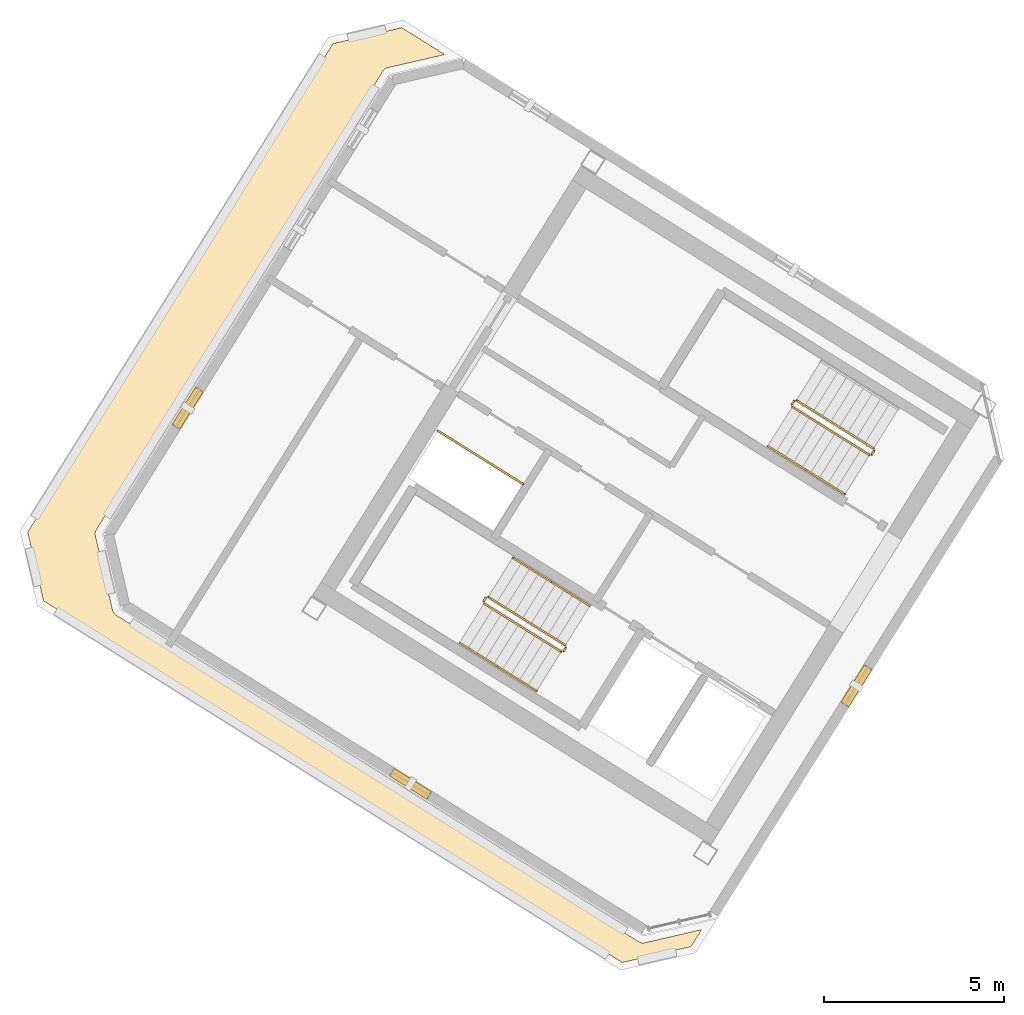
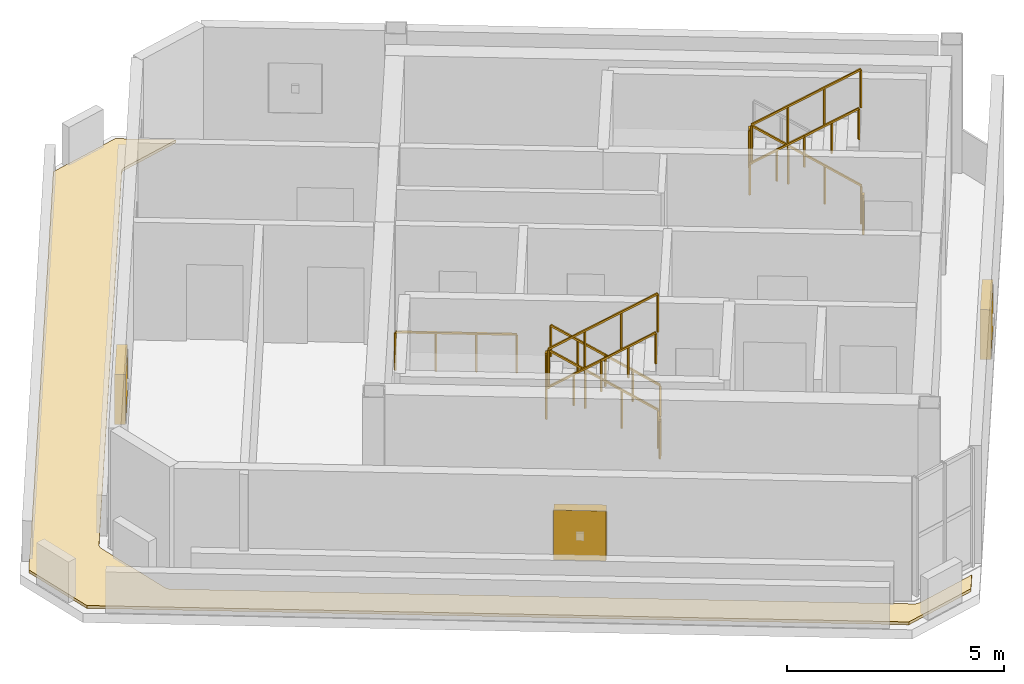
# One storey, part 6 of 7: 15 railings, 3 shading devices, 1 covering.
"""IFC4 building model written with IfcOpenShell, lengths in metres."""

import ifcopenshell
import ifcopenshell.guid

model = None  # the IFC model being written
_history = None  # IfcOwnerHistory: only IFC2X3 demands one
_inside = {}  # id of a spatial element -> (the spatial element, [elements in it])
_under = {}  # id of a project, library or spatial element -> (it, [spatial elements below it])
_declared = {}  # id of a project -> (the project, [libraries it declares])
_typed = {}  # id of a type object -> (the type object, [elements of that type])
_made_of = {}  # id of a material, layer set ... -> (it, [elements and type objects made of it])


def new_model(schema):
    """Start an empty IFC model of exactly this schema.

    Asked for "IFC4X3", IfcOpenShell would pick the latest addendum, in which some entities
    have other attributes; the version numbers below select the first issue.
    IFC2X3 requires an IfcOwnerHistory on every rooted entity: one is made here for all.
    """
    global model, _history
    if schema == "IFC4X3":
        model = ifcopenshell.file(schema_version=(4, 3, 0, 0))
    else:
        model = ifcopenshell.file(schema=schema)
    _inside.clear()
    _under.clear()
    _declared.clear()
    _typed.clear()
    _made_of.clear()
    _history = None
    if model.schema == "IFC2X3":
        org = make("IfcOrganization", Name="unknown")
        user = make(
            "IfcPersonAndOrganization",
            ThePerson=make("IfcPerson", FamilyName="unknown"),
            TheOrganization=org,
        )
        app = make(
            "IfcApplication",
            ApplicationDeveloper=org,
            Version="unknown",
            ApplicationFullName="unknown",
            ApplicationIdentifier="unknown",
        )
        _history = make(
            "IfcOwnerHistory",
            OwningUser=user,
            OwningApplication=app,
            ChangeAction="ADDED",
            CreationDate=0,
        )
    return model


def make(cls, **values):
    """One entity of the class cls with the attributes given. An attribute that is None is left unset."""
    return model.create_entity(
        cls, **{name: value for name, value in values.items() if value is not None}
    )


def rooted(cls, **values):
    """An entity with a GlobalId (a new one), such as an element, a storey or a relation."""
    return make(cls, GlobalId=ifcopenshell.guid.new(), OwnerHistory=_history, **values)


def si_unit(unit_type, name, prefix=None):
    """IfcSIUnit, for example si_unit("LENGTHUNIT", "METRE", prefix="MILLI")."""
    return make("IfcSIUnit", UnitType=unit_type, Prefix=prefix, Name=name)


def assignment(units):
    """IfcUnitAssignment: the units of a project."""
    return None if units is None else make("IfcUnitAssignment", Units=units)


def point(xyz):
    """IfcCartesianPoint."""
    return None if xyz is None else make("IfcCartesianPoint", Coordinates=xyz)


def direction(xyz):
    """IfcDirection."""
    return None if xyz is None else make("IfcDirection", DirectionRatios=xyz)


def frame(location, z_axis=None, x_axis=None):
    """IfcAxis2Placement3D, a coordinate frame: its origin and axes. An axis left out is left unset."""
    return make(
        "IfcAxis2Placement3D",
        Location=point(location),
        Axis=direction(z_axis),
        RefDirection=direction(x_axis),
    )


def frame_2d(location, x_axis=None):
    """IfcAxis2Placement2D, a coordinate frame in the plane: its origin and x axis."""
    return make(
        "IfcAxis2Placement2D", Location=point(location), RefDirection=direction(x_axis)
    )


def origin():
    """The frame at (0, 0, 0) with its axes left unset."""
    return frame((0.0, 0.0, 0.0))


def origin_2d():
    """The frame at (0, 0) in the plane with its x axis left unset."""
    return frame_2d((0.0, 0.0))


def place(relative_to, where):
    """IfcLocalPlacement: puts the frame where relative to a parent placement (None: the world)."""
    return make(
        "IfcLocalPlacement", PlacementRelTo=relative_to, RelativePlacement=where
    )


def context(
    kind, dimensions, precision=None, world=None, true_north=None, identifier=None
):
    """IfcGeometricRepresentationContext, for example the 3D "Model" context."""
    return make(
        "IfcGeometricRepresentationContext",
        ContextIdentifier=identifier,
        ContextType=kind,
        CoordinateSpaceDimension=dimensions,
        Precision=precision,
        WorldCoordinateSystem=world,
        TrueNorth=true_north,
    )


def subcontext(parent, identifier, kind, view, scale=None):
    """IfcGeometricRepresentationSubContext, for example "Body" below "Model"."""
    return make(
        "IfcGeometricRepresentationSubContext",
        ContextIdentifier=identifier,
        ContextType=kind,
        ParentContext=parent,
        TargetScale=scale,
        TargetView=view,
    )


def project(units=None, contexts=None):
    """IfcProject with its units and contexts."""
    return rooted(
        "IfcProject",
        Name="project",
        RepresentationContexts=contexts,
        UnitsInContext=assignment(units),
    )


def spatial(cls, under=None, at=None, **own):
    """A site, building, storey or space (cls), placed at a placement, below another one or the project."""
    s = rooted(cls, ObjectPlacement=at, **own)
    if under is not None:
        _under.setdefault(under.id(), (under, []))[1].append(s)
    return s


def polyline(points):
    """IfcPolyline through the points."""
    return make("IfcPolyline", Points=[point(p) for p in points])


def profile(cls, at=None, kind="AREA", **sizes):
    """A parametric profile (cls). Its sizes go by their IFC names, for example OverallWidth=200.0."""
    return make(cls, ProfileType=kind, Position=at, **sizes)


def rectangle(**sizes):
    """IfcRectangleProfileDef."""
    return profile("IfcRectangleProfileDef", **sizes)


def outline(outer, holes=None, kind="AREA"):
    """IfcArbitraryClosedProfileDef: a profile drawn as a closed curve; with holes, ...WithVoids."""
    if holes is None:
        return make("IfcArbitraryClosedProfileDef", ProfileType=kind, OuterCurve=outer)
    return make(
        "IfcArbitraryProfileDefWithVoids",
        ProfileType=kind,
        OuterCurve=outer,
        InnerCurves=holes,
    )


def extrude(swept, where, along, depth):
    """IfcExtrudedAreaSolid: the profile swept, set in the frame where, extruded along a direction by depth."""
    return make(
        "IfcExtrudedAreaSolid",
        SweptArea=swept,
        Position=where,
        ExtrudedDirection=direction(along),
        Depth=depth,
    )


def shape(context_of_items, identifier, shape_type, items):
    """IfcShapeRepresentation: the items that make up one representation, for example the "Body"."""
    return make(
        "IfcShapeRepresentation",
        ContextOfItems=context_of_items,
        RepresentationIdentifier=identifier,
        RepresentationType=shape_type,
        Items=items,
    )


def source(mapping_origin, context_of_items, identifier, shape_type, items):
    """IfcRepresentationMap: a shape defined once, which mapped items show again and again."""
    return make(
        "IfcRepresentationMap",
        MappingOrigin=mapping_origin,
        MappedRepresentation=shape(context_of_items, identifier, shape_type, items),
    )


def transform(
    local_origin,
    x_axis=None,
    y_axis=None,
    z_axis=None,
    scale=None,
    scale2=None,
    scale3=None,
    uniform=True,
):
    """IfcCartesianTransformationOperator3D, or its non-uniform kind. x_axis, y_axis, z_axis: its Axis1, 2, 3."""
    if uniform:
        return make(
            "IfcCartesianTransformationOperator3D",
            Axis1=direction(x_axis),
            Axis2=direction(y_axis),
            LocalOrigin=point(local_origin),
            Scale=scale,
            Axis3=direction(z_axis),
        )
    return make(
        "IfcCartesianTransformationOperator3DnonUniform",
        Axis1=direction(x_axis),
        Axis2=direction(y_axis),
        LocalOrigin=point(local_origin),
        Scale=scale,
        Axis3=direction(z_axis),
        Scale2=scale2,
        Scale3=scale3,
    )


def mapped(mapping_source, mapping_target):
    """IfcMappedItem: shows the shape of a source again, moved by a transform."""
    return make(
        "IfcMappedItem", MappingSource=mapping_source, MappingTarget=mapping_target
    )


def material(Name=None, Category=None):
    """IfcMaterial."""
    return make("IfcMaterial", Name=Name, Category=Category)


def layer(
    of_material, thickness, ventilated=None, Name=None, Category=None, Priority=None
):
    """IfcMaterialLayer: one layer of a wall or slab, of a material (None: an air gap)."""
    return make(
        "IfcMaterialLayer",
        Material=of_material,
        LayerThickness=thickness,
        IsVentilated=ventilated,
        Name=Name,
        Category=Category,
        Priority=Priority,
    )


def layer_set(layers, Name=None):
    """IfcMaterialLayerSet."""
    return make("IfcMaterialLayerSet", MaterialLayers=layers, LayerSetName=Name)


def made_of(thing, what):
    """Note that an element or type object is made of a material, layer set ...; save() writes the relation."""
    if what is not None:
        _made_of.setdefault(what.id(), (what, []))[1].append(thing)
    return thing


def type_object(cls, material=None, **own):
    """A type object (cls), such as IfcWallType, which elements share."""
    return made_of(rooted(cls, **own), material)


def element(
    cls,
    number,
    at=None,
    inside=None,
    cuts=None,
    type_object=None,
    material=None,
    context=None,
    identifier="Body",
    shape_type=None,
    held_by="IfcProductDefinitionShape",
    body=None,
    shapes=None,
    **own,
):
    """One element of the class cls, such as IfcWall. Its Tag is "e" and its number.

    at: its placement. inside: the storey or other place that contains it. cuts: it is an
    opening in that element (IfcRelVoidsElement). A single representation is given by context,
    identifier, shape_type and body (its items); several are given by shapes. held_by: the class
    of the entity that holds the representations. save() writes the other relations.
    """
    e = rooted(cls, Tag="e%d" % number, ObjectPlacement=at, **own)
    if body is not None:
        shapes = [shape(context, identifier, shape_type, body)]
    if shapes is not None:
        e.Representation = make(held_by, Representations=shapes)
    if inside is not None:
        _inside.setdefault(inside.id(), (inside, []))[1].append(e)
    if cuts is not None:
        rooted(
            "IfcRelVoidsElement", RelatingBuildingElement=cuts, RelatedOpeningElement=e
        )
    if type_object is not None:
        _typed.setdefault(type_object.id(), (type_object, []))[1].append(e)
    return made_of(e, material)


def aggregate(whole, parts):
    """IfcRelAggregates: a whole, such as a stair, and the parts it consists of."""
    return rooted("IfcRelAggregates", RelatingObject=whole, RelatedObjects=parts)


def save(model, path):
    """Write the relations noted so far, then the file.

    IfcRelAggregates (storeys below a building ...), IfcRelContainedInSpatialStructure (elements
    in a storey), IfcRelDefinesByType, IfcRelAssociatesMaterial and IfcRelDeclares: one each for
    every whole, place, type object, material and project.
    """
    for whole, parts in _under.values():
        aggregate(whole, parts)
    for where, things in _inside.values():
        rooted(
            "IfcRelContainedInSpatialStructure",
            RelatedElements=things,
            RelatingStructure=where,
        )
    for kind, things in _typed.values():
        rooted("IfcRelDefinesByType", RelatedObjects=things, RelatingType=kind)
    for what, things in _made_of.values():
        rooted("IfcRelAssociatesMaterial", RelatedObjects=things, RelatingMaterial=what)
    for by, libraries in _declared.values():
        rooted("IfcRelDeclares", RelatingContext=by, RelatedDefinitions=libraries)
    model.write(path)


model = new_model("IFC4")

# Units and contexts
model_context = context("Model", 3, precision=1e-05, world=origin(), true_north=direction((0.0, 1.0)))
body_context = subcontext(model_context, "Body", "Model", "MODEL_VIEW")
ifc_project = project(units=[si_unit("LENGTHUNIT", "METRE"), si_unit("AREAUNIT", "SQUARE_METRE"), si_unit("VOLUMEUNIT", "CUBIC_METRE"), si_unit("PLANEANGLEUNIT", "RADIAN"), si_unit("MASSUNIT", "GRAM", prefix="KILO")], contexts=[model_context])

# Site, building, storey
site_placement = place(None, origin())
site = spatial("IfcSite", under=ifc_project, at=site_placement, CompositionType="ELEMENT")
building_placement = place(site_placement, origin())
building = spatial("IfcBuilding", under=site, at=building_placement, Name="Tlacorven Tower", CompositionType="ELEMENT")
storey_placement = place(building_placement, frame((0.0, 0.0, 309.60009765625)))
storey = spatial("IfcBuildingStorey", under=building, at=storey_placement, Name="L79", CompositionType="ELEMENT", Elevation=309.60009765625)

# Covering
ifc_material_1 = material(Name="EPDM waterproofing membrane and rigid insulation")
ifc_layer = layer(ifc_material_1, 0.080078125)
ifc_layer_set = layer_set([ifc_layer], Name="EPDM waterproofing membrane and rigid insulation")
covering_type = type_object("IfcCoveringType", Name="CV-ROF-MEMB", PredefinedType="ROOFING", material=ifc_layer_set)
covering_placement = place(storey_placement, origin())
element("IfcCovering", 1, at=covering_placement, inside=storey, type_object=covering_type, Name="L79 Stepped Crown Waterproofing Membrane 1.1", PredefinedType="ROOFING", context=body_context, shape_type="SweptSolid", body=[
    extrude(outline(polyline([(32.647216796875, 9.48583984375), (30.74169921875, 9.0458984375), (14.6845703125, 19.07958984375), (14.24462890625, 20.985107421875), (22.71484375, 34.54052734375), (24.620361328125, 34.98046875), (25.812744140625, 34.2353515625), (24.23583984375, 33.871337890625), (24.226318359375, 33.868896484375), (24.224365234375, 33.868408203125), (24.205810546875, 33.862060546875), (24.2041015625, 33.861328125), (24.18603515625, 33.853271484375), (24.184326171875, 33.8525390625), (24.16748046875, 33.8427734375), (24.165771484375, 33.841552734375), (24.149658203125, 33.830322265625), (24.148193359375, 33.8291015625), (24.13330078125, 33.816162109375), (24.132080078125, 33.814697265625), (24.11865234375, 33.800537109375), (24.1171875, 33.799072265625), (24.105224609375, 33.783447265625), (24.104248046875, 33.78173828125), (24.098876953125, 33.773681640625), (16.14990234375, 21.052978515625), (16.14501953125, 21.04443359375), (16.14404296875, 21.042724609375), (16.13525390625, 21.025146484375), (16.134521484375, 21.0234375), (16.127685546875, 21.0048828125), (16.126953125, 21.003173828125), (16.121826171875, 20.984130859375), (16.121337890625, 20.982177734375), (16.1181640625, 20.962890625), (16.117919921875, 20.9609375), (16.11669921875, 20.94140625), (16.11669921875, 20.939453125), (16.1171875, 20.919677734375), (16.117431640625, 20.917724609375), (16.119873046875, 20.8984375), (16.1201171875, 20.896484375), (16.122314453125, 20.88671875), (16.599365234375, 18.81982421875), (16.601806640625, 18.810302734375), (16.602294921875, 18.808349609375), (16.608642578125, 18.789794921875), (16.609375, 18.7880859375), (16.617431640625, 18.77001953125), (16.618408203125, 18.768310546875), (16.628173828125, 18.75146484375), (16.629150390625, 18.749755859375), (16.640625, 18.733642578125), (16.641845703125, 18.732177734375), (16.65478515625, 18.717529296875), (16.656005859375, 18.716064453125), (16.67041015625, 18.70263671875), (16.671875, 18.701171875), (16.687255859375, 18.689208984375), (16.68896484375, 18.688232421875), (16.697265625, 18.682861328125), (31.19873046875, 9.62109375), (31.207275390625, 9.6162109375), (31.208984375, 9.615234375), (31.2265625, 9.6064453125), (31.228271484375, 9.605712890625), (31.24658203125, 9.5986328125), (31.24853515625, 9.59814453125), (31.267578125, 9.593017578125), (31.26953125, 9.592529296875), (31.288818359375, 9.58935546875), (31.290771484375, 9.589111328125), (31.310302734375, 9.587890625), (31.312255859375, 9.587890625), (31.331787109375, 9.58837890625), (31.333740234375, 9.588623046875), (31.353271484375, 9.591064453125), (31.355224609375, 9.59130859375), (31.36474609375, 9.59326171875), (32.94189453125, 9.95751953125), (32.647216796875, 9.48583984375)])), origin(), (0.0, 0.0, 1.0), 0.079833984375),
])

# Railing
ifc_material_2 = material(Name="Aluminium and painted steel balustrade", Category="steel")
railing_type_1 = type_object("IfcRailingType", Name="RL-GRD-1100", PredefinedType="GUARDRAIL", material=ifc_material_2)
shared_shape_1 = source(origin(), body_context, "Body", "SweptSolid", [
    extrude(rectangle(XDim=0.048095703125, YDim=0.048095703125, at=origin_2d()), frame((0.0, 0.0, 1.076171875), z_axis=(-0.848091358275, 0.529850024081, 0.0), x_axis=(-0.529850024081, -0.848091358275, 0.0)), (0.0, 0.0, 1.0), 2.800048828125),
    extrude(rectangle(XDim=0.0419921875, YDim=0.0419921875, at=origin_2d()), origin(), (0.0, 0.0, 1.0), 1.052001953125),
    extrude(rectangle(XDim=0.0419921875, YDim=0.0419921875, at=origin_2d()), frame((-0.79150390625, 0.49462890625, 0.0)), (0.0, 0.0, 1.0), 1.052001953125),
    extrude(rectangle(XDim=0.0419921875, YDim=0.0419921875, at=origin_2d()), frame((-1.583251953125, 0.989013671875, 0.0)), (0.0, 0.0, 1.0), 1.052001953125),
    extrude(rectangle(XDim=0.0419921875, YDim=0.0419921875, at=origin_2d()), frame((-2.374755859375, 1.483642578125, 0.0)), (0.0, 0.0, 1.0), 1.052001953125),
])
railing_1_placement = place(storey_placement, frame((27.9912109375, 22.32080078125, 0.0)))
element("IfcRailing", 2, at=railing_1_placement, inside=storey, type_object=railing_type_1, Name="L79 Electrical Riser W Shaft Guard 1", PredefinedType="GUARDRAIL", context=body_context, shape_type="MappedRepresentation", body=[
    mapped(shared_shape_1, transform((0.0, 0.0, 0.0), scale=1.0)),
])

# Shading devices
ifc_material_3 = material(Name="Anodised bronze aluminium acoustic louvre", Category="aluminium")
shading_device_type = type_object("IfcShadingDeviceType", Name="SH-LVR-WND", PredefinedType="JALOUSIE", material=ifc_material_3)
shared_shape_2 = source(origin(), body_context, "Body", "SweptSolid", [
    extrude(rectangle(XDim=1.2099609375, YDim=0.25, at=origin_2d()), origin(), (0.0, 0.0, 1.0), 1.39990234375),
])
for number, where, z_axis, x_axis, name in (
    (3, (37.238037109375, 16.719482421875, 0.949951171875), (0.0, 0.0, 1.0), (-0.529919057549, -0.848048225307, 0.0), "L79 Storm-Resistant Acoustic Louvre Bank 1.1"),
    (4, (24.86669921875, 14.00244140625, 0.949951171875), (0.0, 0.0, 1.0), (-0.848048040728, 0.529919352937, 0.0), "L79 Storm-Resistant Acoustic Louvre Bank 2.1"),
    (5, (18.68310546875, 24.42724609375, 0.949951171875), (0.0, 0.0, 1.0), (0.529919357141, 0.848048038101, 0.0), "L79 Storm-Resistant Acoustic Louvre Bank 4.1"),
):
    element("IfcShadingDevice", number, at=place(storey_placement, frame(where, z_axis=z_axis, x_axis=x_axis)), inside=storey, type_object=shading_device_type, Name=name, PredefinedType="JALOUSIE", context=body_context, shape_type="MappedRepresentation", body=[
        mapped(shared_shape_2, transform((0.0, 0.0, 0.0), scale=1.0)),
    ])

# Railings
shared_shape_3 = source(origin(), body_context, "Body", "SweptSolid", [
    extrude(rectangle(XDim=0.048095703125, YDim=0.048095703125, at=origin_2d()), frame((0.0, 0.0, 1.076171875), z_axis=(-0.529084052582, -0.848569422795, 0.0), x_axis=(0.848569422795, -0.529084052582, 0.0)), (0.0, 0.0, 1.0), 0.119873046875),
    extrude(rectangle(XDim=0.0419921875, YDim=0.0419921875, at=origin_2d()), origin(), (0.0, 0.0, 1.0), 1.052001953125),
    extrude(rectangle(XDim=0.0419921875, YDim=0.0419921875, at=origin_2d()), frame((-0.0634765625, -0.101806640625, 0.0)), (0.0, 0.0, 1.0), 1.052001953125),
])
railing_2_placement = place(storey_placement, frame((29.176513671875, 17.782958984375, 0.0)))
element("IfcRailing", 6, at=railing_2_placement, inside=storey, type_object=railing_type_1, Name="L79 ST-W1 stair guard 4", PredefinedType="GUARDRAIL", context=body_context, shape_type="MappedRepresentation", body=[
    mapped(shared_shape_3, transform((0.0, 0.0, 0.0), scale=1.0)),
])
shared_shape_4 = source(origin(), body_context, "Body", "SweptSolid", [
    extrude(rectangle(XDim=0.048095703125, YDim=0.048095703125, at=origin_2d()), frame((0.0, 0.0, 1.076171875), z_axis=(-0.530546985787, -0.847655529016, 0.0), x_axis=(0.847655529016, -0.530546985787, 0.0)), (0.0, 0.0, 1.0), 0.1201171875),
    extrude(rectangle(XDim=0.0419921875, YDim=0.0419921875, at=origin_2d()), origin(), (0.0, 0.0, 1.0), 1.052001953125),
    extrude(rectangle(XDim=0.0419921875, YDim=0.0419921875, at=origin_2d()), frame((-0.063720703125, -0.101806640625, 0.0)), (0.0, 0.0, 1.0), 1.052001953125),
])
for number, where, name in (
    (7, (26.954833984375, 19.17138671875, 1.7998046875), "L79 ST-W1 stair guard 2"),
    (8, (37.728271484375, 23.24072265625, 0.0), "L79 ST-W2 stair guard 4"),
):
    element("IfcRailing", number, at=place(storey_placement, frame(where)), inside=storey, type_object=railing_type_1, Name=name, PredefinedType="GUARDRAIL", context=body_context, shape_type="MappedRepresentation", body=[
        mapped(shared_shape_4, transform((0.0, 0.0, 0.0), scale=1.0)),
    ])
railing_type_2 = type_object("IfcRailingType", Name="RL-HND-0900", PredefinedType="HANDRAIL", material=ifc_material_2)
shared_shape_5 = source(origin(), body_context, "Body", "SweptSolid", [
    extrude(rectangle(XDim=0.048095703125, YDim=0.048095703125, at=origin_2d()), frame((0.0, 0.0, 0.8759765625), z_axis=(-0.713359751793, 0.4457479829, 0.540764828981), x_axis=(-0.529911857636, -0.848052724267, 0.0)), (0.0, 0.0, 1.0), 1.498046875),
    extrude(rectangle(XDim=0.0419921875, YDim=0.0419921875, at=origin_2d()), origin(), (0.0, 0.0, 1.0), 0.851806640625),
    extrude(rectangle(XDim=0.0419921875, YDim=0.0419921875, at=origin_2d()), frame((-0.5341796875, 0.333984375, 0.405029296875)), (0.0, 0.0, 1.0), 0.851806640625),
    extrude(rectangle(XDim=0.0419921875, YDim=0.0419921875, at=origin_2d()), frame((-1.068603515625, 0.667724609375, 0.81005859375)), (0.0, 0.0, 1.0), 0.851806640625),
])
railing_3_placement = place(storey_placement, frame((29.839111328125, 18.937255859375, 0.179931640625)))
element("IfcRailing", 9, at=railing_3_placement, inside=storey, type_object=railing_type_2, Name="L79 ST-W1 stair handrail 1", PredefinedType="HANDRAIL", context=body_context, shape_type="MappedRepresentation", body=[
    mapped(shared_shape_5, transform((0.0, 0.0, 0.0), scale=1.0)),
])
shared_shape_6 = source(origin(), body_context, "Body", "SweptSolid", [
    extrude(rectangle(XDim=0.048095703125, YDim=0.048095703125, at=origin_2d()), frame((0.0, 0.0, 0.8759765625), z_axis=(0.713359751793, -0.4457479829, 0.540764828981), x_axis=(0.529911857636, 0.848052724267, 0.0)), (0.0, 0.0, 1.0), 1.498046875),
    extrude(rectangle(XDim=0.0419921875, YDim=0.0419921875, at=origin_2d()), origin(), (0.0, 0.0, 1.0), 0.851806640625),
    extrude(rectangle(XDim=0.0419921875, YDim=0.0419921875, at=origin_2d()), frame((0.5341796875, -0.333984375, 0.405029296875)), (0.0, 0.0, 1.0), 0.851806640625),
    extrude(rectangle(XDim=0.0419921875, YDim=0.0419921875, at=origin_2d()), frame((1.068603515625, -0.667724609375, 0.81005859375)), (0.0, 0.0, 1.0), 0.851806640625),
])
railing_4_placement = place(storey_placement, frame((35.848876953125, 22.705078125, 2.789794921875)))
element("IfcRailing", 10, at=railing_4_placement, inside=storey, type_object=railing_type_2, Name="L79 ST-W2 stair handrail 4", PredefinedType="HANDRAIL", context=body_context, shape_type="MappedRepresentation", body=[
    mapped(shared_shape_6, transform((0.0, 0.0, 0.0), scale=1.0)),
])
shared_shape_7 = source(origin(), body_context, "Body", "SweptSolid", [
    extrude(rectangle(XDim=0.048095703125, YDim=0.048095703125, at=origin_2d()), frame((0.0, 0.0, 0.8759765625), z_axis=(0.713279695859, -0.445799809912, 0.540827703579), x_axis=(0.529998940003, 0.847998304005, 0.0)), (0.0, 0.0, 1.0), 1.497802734375),
    extrude(rectangle(XDim=0.0419921875, YDim=0.0419921875, at=origin_2d()), origin(), (0.0, 0.0, 1.0), 0.851806640625),
    extrude(rectangle(XDim=0.0419921875, YDim=0.0419921875, at=origin_2d()), frame((0.5341796875, -0.333984375, 0.405029296875)), (0.0, 0.0, 1.0), 0.851806640625),
    extrude(rectangle(XDim=0.0419921875, YDim=0.0419921875, at=origin_2d()), frame((1.068359375, -0.667724609375, 0.81005859375)), (0.0, 0.0, 1.0), 0.851806640625),
])
railing_5_placement = place(storey_placement, frame((27.29736328125, 17.24755859375, 2.789794921875)))
element("IfcRailing", 11, at=railing_5_placement, inside=storey, type_object=railing_type_2, Name="L79 ST-W1 stair handrail 4", PredefinedType="HANDRAIL", context=body_context, shape_type="MappedRepresentation", body=[
    mapped(shared_shape_7, transform((0.0, 0.0, 0.0), scale=1.0)),
])
shared_shape_8 = source(origin(), body_context, "Body", "SweptSolid", [
    extrude(rectangle(XDim=0.048095703125, YDim=0.048095703125, at=origin_2d()), frame((0.0, 0.0, 1.076171875), z_axis=(-0.713351164325, 0.445793541512, 0.540738601085), x_axis=(-0.529955395941, -0.84802551749, 0.0)), (0.0, 0.0, 1.0), 2.99560546875),
    extrude(rectangle(XDim=0.0419921875, YDim=0.0419921875, at=origin_2d()), origin(), (0.0, 0.0, 1.0), 1.052001953125),
    extrude(rectangle(XDim=0.0419921875, YDim=0.0419921875, at=origin_2d()), frame((-0.71240234375, 0.445068359375, 0.5400390625)), (0.0, 0.0, 1.0), 1.052001953125),
    extrude(rectangle(XDim=0.0419921875, YDim=0.0419921875, at=origin_2d()), frame((-1.424560546875, 0.890380859375, 1.079833984375)), (0.0, 0.0, 1.0), 1.052001953125),
    extrude(rectangle(XDim=0.0419921875, YDim=0.0419921875, at=origin_2d()), frame((-2.136962890625, 1.33544921875, 1.619873046875)), (0.0, 0.0, 1.0), 1.052001953125),
])
for number, where, name in (
    (12, (29.16064453125, 17.851806640625, 0.179931640625), "L79 ST-W1 stair guard 1"),
    (13, (37.712158203125, 23.3095703125, 0.179931640625), "L79 ST-W2 stair guard 1"),
):
    element("IfcRailing", number, at=place(storey_placement, frame(where)), inside=storey, type_object=railing_type_1, Name=name, PredefinedType="GUARDRAIL", context=body_context, shape_type="MappedRepresentation", body=[
        mapped(shared_shape_8, transform((0.0, 0.0, 0.0), scale=1.0)),
    ])
shared_shape_9 = source(origin(), body_context, "Body", "SweptSolid", [
    extrude(rectangle(XDim=0.048095703125, YDim=0.048095703125, at=origin_2d()), frame((0.0, 0.0, 1.076171875), z_axis=(0.71339118691, -0.44576762536, 0.540707165313), x_axis=(0.529911857636, 0.848052724267, 0.0)), (0.0, 0.0, 1.0), 2.995849609375),
    extrude(rectangle(XDim=0.0419921875, YDim=0.0419921875, at=origin_2d()), origin(), (0.0, 0.0, 1.0), 1.052001953125),
    extrude(rectangle(XDim=0.0419921875, YDim=0.0419921875, at=origin_2d()), frame((0.71240234375, -0.445068359375, 0.5400390625)), (0.0, 0.0, 1.0), 1.052001953125),
    extrude(rectangle(XDim=0.0419921875, YDim=0.0419921875, at=origin_2d()), frame((1.4248046875, -0.890380859375, 1.079833984375)), (0.0, 0.0, 1.0), 1.052001953125),
    extrude(rectangle(XDim=0.0419921875, YDim=0.0419921875, at=origin_2d()), frame((2.13720703125, -1.33544921875, 1.619873046875)), (0.0, 0.0, 1.0), 1.052001953125),
])
railing_6_placement = place(storey_placement, frame((26.906982421875, 19.000732421875, 1.97998046875)))
element("IfcRailing", 14, at=railing_6_placement, inside=storey, type_object=railing_type_1, Name="L79 ST-W1 stair guard 3", PredefinedType="GUARDRAIL", context=body_context, shape_type="MappedRepresentation", body=[
    mapped(shared_shape_9, transform((0.0, 0.0, 0.0), scale=1.0)),
])
shared_shape_10 = source(origin(), body_context, "Body", "SweptSolid", [
    extrude(rectangle(XDim=0.048095703125, YDim=0.048095703125, at=origin_2d()), frame((0.0, 0.0, 0.8759765625), z_axis=(-0.713422621445, 0.445787267455, 0.540649494022), x_axis=(-0.529911857636, -0.848052724267, 0.0)), (0.0, 0.0, 1.0), 1.497802734375),
    extrude(rectangle(XDim=0.0419921875, YDim=0.0419921875, at=origin_2d()), origin(), (0.0, 0.0, 1.0), 0.851806640625),
    extrude(rectangle(XDim=0.0419921875, YDim=0.0419921875, at=origin_2d()), frame((-0.5341796875, 0.333984375, 0.40478515625)), (0.0, 0.0, 1.0), 0.851806640625),
    extrude(rectangle(XDim=0.0419921875, YDim=0.0419921875, at=origin_2d()), frame((-1.068603515625, 0.667724609375, 0.809814453125)), (0.0, 0.0, 1.0), 0.851806640625),
])
railing_7_placement = place(storey_placement, frame((28.7705078125, 19.60498046875, 0.989990234375)))
element("IfcRailing", 15, at=railing_7_placement, inside=storey, type_object=railing_type_2, Name="L79 ST-W1 stair handrail 2", PredefinedType="HANDRAIL", context=body_context, shape_type="MappedRepresentation", body=[
    mapped(shared_shape_10, transform((0.0, 0.0, 0.0), scale=1.0)),
])
shared_shape_11 = source(origin(), body_context, "Body", "SweptSolid", [
    extrude(rectangle(XDim=0.048095703125, YDim=0.048095703125, at=origin_2d()), frame((0.0, 0.0, 0.8759765625), z_axis=(0.713422621445, -0.445787267455, 0.540649494022), x_axis=(0.529911857636, 0.848052724267, 0.0)), (0.0, 0.0, 1.0), 1.497802734375),
    extrude(rectangle(XDim=0.0419921875, YDim=0.0419921875, at=origin_2d()), origin(), (0.0, 0.0, 1.0), 0.851806640625),
    extrude(rectangle(XDim=0.0419921875, YDim=0.0419921875, at=origin_2d()), frame((0.5341796875, -0.333984375, 0.40478515625)), (0.0, 0.0, 1.0), 0.851806640625),
    extrude(rectangle(XDim=0.0419921875, YDim=0.0419921875, at=origin_2d()), frame((1.068603515625, -0.667724609375, 0.809814453125)), (0.0, 0.0, 1.0), 0.851806640625),
])
for number, where, name in (
    (16, (26.228759765625, 17.915283203125, 1.97998046875), "L79 ST-W1 stair handrail 3"),
    (17, (34.7802734375, 23.372802734375, 1.97998046875), "L79 ST-W2 stair handrail 3"),
):
    element("IfcRailing", number, at=place(storey_placement, frame(where)), inside=storey, type_object=railing_type_2, Name=name, PredefinedType="HANDRAIL", context=body_context, shape_type="MappedRepresentation", body=[
        mapped(shared_shape_11, transform((0.0, 0.0, 0.0), scale=1.0)),
    ])
shared_shape_12 = source(origin(), body_context, "Body", "SweptSolid", [
    extrude(rectangle(XDim=0.048095703125, YDim=0.048095703125, at=origin_2d()), frame((0.0, 0.0, 1.076171875), z_axis=(-0.531462422766, -0.847081869236, 0.0), x_axis=(0.847081869236, -0.531462422766, 0.0)), (0.0, 0.0, 1.0), 0.119873046875),
    extrude(rectangle(XDim=0.0419921875, YDim=0.0419921875, at=origin_2d()), origin(), (0.0, 0.0, 1.0), 1.052001953125),
    extrude(rectangle(XDim=0.0419921875, YDim=0.0419921875, at=origin_2d()), frame((-0.063720703125, -0.1015625, 0.0)), (0.0, 0.0, 1.0), 1.052001953125),
])
railing_8_placement = place(storey_placement, frame((35.50634765625, 24.62890625, 1.7998046875)))
element("IfcRailing", 18, at=railing_8_placement, inside=storey, type_object=railing_type_1, Name="L79 ST-W2 stair guard 2", PredefinedType="GUARDRAIL", context=body_context, shape_type="MappedRepresentation", body=[
    mapped(shared_shape_12, transform((0.0, 0.0, 0.0), scale=1.0)),
])
shared_shape_13 = source(origin(), body_context, "Body", "SweptSolid", [
    extrude(rectangle(XDim=0.048095703125, YDim=0.048095703125, at=origin_2d()), frame((0.0, 0.0, 1.076171875), z_axis=(0.713417101326, -0.445702322042, 0.540726806865), x_axis=(0.52984217967, 0.848096259066, 0.0)), (0.0, 0.0, 1.0), 2.995849609375),
    extrude(rectangle(XDim=0.0419921875, YDim=0.0419921875, at=origin_2d()), origin(), (0.0, 0.0, 1.0), 1.052001953125),
    extrude(rectangle(XDim=0.0419921875, YDim=0.0419921875, at=origin_2d()), frame((0.71240234375, -0.445068359375, 0.5400390625)), (0.0, 0.0, 1.0), 1.052001953125),
    extrude(rectangle(XDim=0.0419921875, YDim=0.0419921875, at=origin_2d()), frame((1.4248046875, -0.89013671875, 1.079833984375)), (0.0, 0.0, 1.0), 1.052001953125),
    extrude(rectangle(XDim=0.0419921875, YDim=0.0419921875, at=origin_2d()), frame((2.13720703125, -1.335205078125, 1.619873046875)), (0.0, 0.0, 1.0), 1.052001953125),
])
railing_9_placement = place(storey_placement, frame((35.45849609375, 24.458251953125, 1.97998046875)))
element("IfcRailing", 19, at=railing_9_placement, inside=storey, type_object=railing_type_1, Name="L79 ST-W2 stair guard 3", PredefinedType="GUARDRAIL", context=body_context, shape_type="MappedRepresentation", body=[
    mapped(shared_shape_13, transform((0.0, 0.0, 0.0), scale=1.0)),
])

save(model, "model.ifc")
